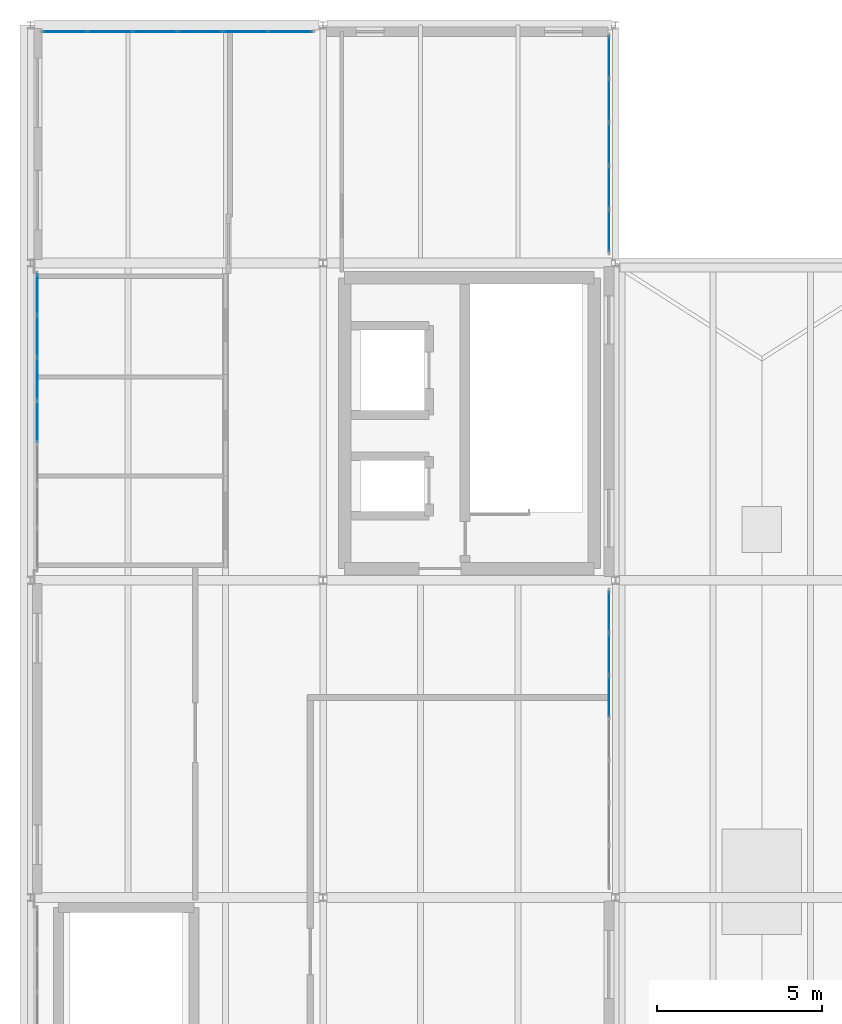
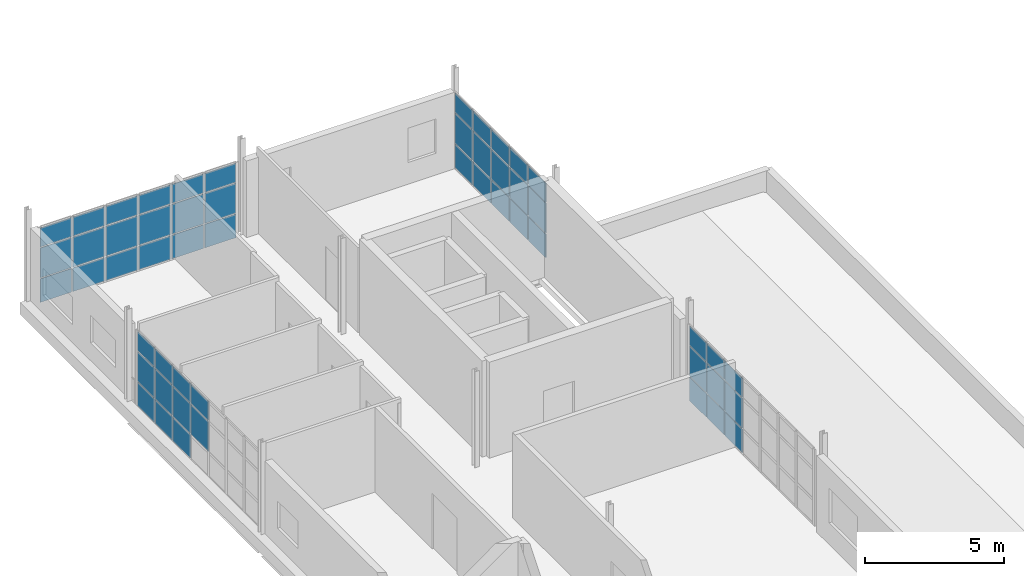
# One storey, part 11 of 16: 53 plates, 4 elements without a shape of their own.
"""IFC4 building model written with IfcOpenShell, lengths in metres."""

from ifc_helpers import new_model, si_unit, direction, frame, origin, origin_2d, place, context, subcontext, project, spatial, rectangle, extrude, material, layer, layer_set, type_object, element, aggregate, save


model = new_model("IFC4")

# Units and contexts
model_context = context("Model", 3, precision=1e-05, world=origin(), true_north=direction((0.0, 1.0)))
body_context = subcontext(model_context, "Body", "Model", "MODEL_VIEW")
ifc_project = project(units=[si_unit("LENGTHUNIT", "METRE"), si_unit("AREAUNIT", "SQUARE_METRE"), si_unit("VOLUMEUNIT", "CUBIC_METRE"), si_unit("PLANEANGLEUNIT", "RADIAN"), si_unit("MASSUNIT", "GRAM", prefix="KILO")], contexts=[model_context])

# Site, building, storey
site_placement = place(None, origin())
site = spatial("IfcSite", under=ifc_project, at=site_placement, CompositionType="ELEMENT")
building_placement = place(site_placement, origin())
building = spatial("IfcBuilding", under=site, at=building_placement, Name="Yeouljin Market Hall", CompositionType="ELEMENT")
storey_placement = place(building_placement, frame((0.0, 0.0, 19.199951171875)))
storey = spatial("IfcBuildingStorey", under=building, at=storey_placement, Name="L04", CompositionType="ELEMENT", Elevation=19.199951171875)

# Curtain wall, plates
ifc_material_1 = material(Name="Thermally Broken Aluminium", Category="aluminium")
ifc_layer_1 = layer(ifc_material_1, 0.14990234375)
ifc_layer_set_1 = layer_set([ifc_layer_1], Name="Thermally Broken Aluminium")
curtain_wall_type = type_object("IfcCurtainWallType", Name="CW_AcademyRibbon_System", PredefinedType="USERDEFINED", material=ifc_layer_set_1)
curtain_wall_1_placement = place(storey_placement, origin())
curtain_wall_1 = element("IfcCurtainWall", 1, at=curtain_wall_1_placement, inside=storey, type_object=curtain_wall_type, Name="Curtain wall CW-L04-W05", ObjectType="CURTAIN WALL", PredefinedType="USERDEFINED")
ifc_material_2 = material(Name="Low-E Insulated Glass", Category="glass")
ifc_layer_2 = layer(ifc_material_2, 0.028076171875)
ifc_layer_set_2 = layer_set([ifc_layer_2], Name="Low-E Insulated Glass")
plate_type = type_object("IfcPlateType", Name="CWPanel_LowE_28", PredefinedType="CURTAIN_PANEL", material=ifc_layer_set_2)
plate_1_placement = place(storey_placement, frame((0.199951171875, 24.0, 1.1240234375), z_axis=(0.0, 0.0, 1.0), x_axis=(0.0, 1.0, 0.0)))
plate_1 = element("IfcPlate", 2, at=plate_1_placement, type_object=plate_type, Name="CW-05 panel 4.2", PredefinedType="CURTAIN_PANEL", context=body_context, shape_type="SweptSolid", body=[
    extrude(rectangle(XDim=1.23779296875, YDim=0.028076171875, at=origin_2d()), origin(), (0.0, 0.0, 1.0), 1.302001953125),
])
plate_2_placement = place(storey_placement, frame((0.199951171875, 24.0, 2.47412109375), z_axis=(0.0, 0.0, 1.0), x_axis=(0.0, 1.0, 0.0)))
plate_2 = element("IfcPlate", 3, at=plate_2_placement, type_object=plate_type, Name="CW-05 panel 4.3", PredefinedType="CURTAIN_PANEL", context=body_context, shape_type="SweptSolid", body=[
    extrude(rectangle(XDim=1.23779296875, YDim=0.028076171875, at=origin_2d()), origin(), (0.0, 0.0, 1.0), 0.827880859375),
])
plate_3_placement = place(storey_placement, frame((0.199951171875, 25.28564453125, 0.0478515625), z_axis=(0.0, 0.0, 1.0), x_axis=(0.0, 1.0, 0.0)))
plate_3 = element("IfcPlate", 4, at=plate_3_placement, type_object=plate_type, Name="CW-05 panel 5.1", PredefinedType="CURTAIN_PANEL", context=body_context, shape_type="SweptSolid", body=[
    extrude(rectangle(XDim=1.23779296875, YDim=0.028076171875, at=origin_2d()), origin(), (0.0, 0.0, 1.0), 1.028076171875),
])
plate_4_placement = place(storey_placement, frame((0.199951171875, 25.28564453125, 1.1240234375), z_axis=(0.0, 0.0, 1.0), x_axis=(0.0, 1.0, 0.0)))
plate_4 = element("IfcPlate", 5, at=plate_4_placement, type_object=plate_type, Name="CW-05 panel 5.2", PredefinedType="CURTAIN_PANEL", context=body_context, shape_type="SweptSolid", body=[
    extrude(rectangle(XDim=1.23779296875, YDim=0.028076171875, at=origin_2d()), origin(), (0.0, 0.0, 1.0), 1.302001953125),
])
plate_5_placement = place(storey_placement, frame((0.199951171875, 25.28564453125, 2.47412109375), z_axis=(0.0, 0.0, 1.0), x_axis=(0.0, 1.0, 0.0)))
plate_5 = element("IfcPlate", 6, at=plate_5_placement, type_object=plate_type, Name="CW-05 panel 5.3", PredefinedType="CURTAIN_PANEL", context=body_context, shape_type="SweptSolid", body=[
    extrude(rectangle(XDim=1.23779296875, YDim=0.028076171875, at=origin_2d()), origin(), (0.0, 0.0, 1.0), 0.827880859375),
])
plate_6_placement = place(storey_placement, frame((0.199951171875, 26.571533203125, 0.0478515625), z_axis=(0.0, 0.0, 1.0), x_axis=(0.0, 1.0, 0.0)))
plate_6 = element("IfcPlate", 7, at=plate_6_placement, type_object=plate_type, Name="CW-05 panel 6.1", PredefinedType="CURTAIN_PANEL", context=body_context, shape_type="SweptSolid", body=[
    extrude(rectangle(XDim=1.23779296875, YDim=0.028076171875, at=origin_2d()), origin(), (0.0, 0.0, 1.0), 1.028076171875),
])
plate_7_placement = place(storey_placement, frame((0.199951171875, 26.571533203125, 1.1240234375), z_axis=(0.0, 0.0, 1.0), x_axis=(0.0, 1.0, 0.0)))
plate_7 = element("IfcPlate", 8, at=plate_7_placement, type_object=plate_type, Name="CW-05 panel 6.2", PredefinedType="CURTAIN_PANEL", context=body_context, shape_type="SweptSolid", body=[
    extrude(rectangle(XDim=1.23779296875, YDim=0.028076171875, at=origin_2d()), origin(), (0.0, 0.0, 1.0), 1.302001953125),
])
plate_8_placement = place(storey_placement, frame((0.199951171875, 26.571533203125, 2.47412109375), z_axis=(0.0, 0.0, 1.0), x_axis=(0.0, 1.0, 0.0)))
plate_8 = element("IfcPlate", 9, at=plate_8_placement, type_object=plate_type, Name="CW-05 panel 6.3", PredefinedType="CURTAIN_PANEL", context=body_context, shape_type="SweptSolid", body=[
    extrude(rectangle(XDim=1.23779296875, YDim=0.028076171875, at=origin_2d()), origin(), (0.0, 0.0, 1.0), 0.827880859375),
])
plate_9_placement = place(storey_placement, frame((0.199951171875, 27.84521484375, 0.0478515625), z_axis=(0.0, 0.0, 1.0), x_axis=(0.0, 1.0, 0.0)))
plate_9 = element("IfcPlate", 10, at=plate_9_placement, type_object=plate_type, Name="CW-05 panel 7.1", PredefinedType="CURTAIN_PANEL", context=body_context, shape_type="SweptSolid", body=[
    extrude(rectangle(XDim=1.213623046875, YDim=0.028076171875, at=origin_2d()), origin(), (0.0, 0.0, 1.0), 1.028076171875),
])
plate_10_placement = place(storey_placement, frame((0.199951171875, 27.84521484375, 1.1240234375), z_axis=(0.0, 0.0, 1.0), x_axis=(0.0, 1.0, 0.0)))
plate_10 = element("IfcPlate", 11, at=plate_10_placement, type_object=plate_type, Name="CW-05 panel 7.2", PredefinedType="CURTAIN_PANEL", context=body_context, shape_type="SweptSolid", body=[
    extrude(rectangle(XDim=1.213623046875, YDim=0.028076171875, at=origin_2d()), origin(), (0.0, 0.0, 1.0), 1.302001953125),
])
plate_11_placement = place(storey_placement, frame((0.199951171875, 27.84521484375, 2.47412109375), z_axis=(0.0, 0.0, 1.0), x_axis=(0.0, 1.0, 0.0)))
plate_11 = element("IfcPlate", 12, at=plate_11_placement, type_object=plate_type, Name="CW-05 panel 7.3", PredefinedType="CURTAIN_PANEL", context=body_context, shape_type="SweptSolid", body=[
    extrude(rectangle(XDim=1.213623046875, YDim=0.028076171875, at=origin_2d()), origin(), (0.0, 0.0, 1.0), 0.827880859375),
])
aggregate(curtain_wall_1, [plate_1, plate_2, plate_3, plate_4, plate_5, plate_6, plate_7, plate_8, plate_9, plate_10, plate_11])

curtain_wall_2_placement = place(storey_placement, origin())
curtain_wall_2 = element("IfcCurtainWall", 13, at=curtain_wall_2_placement, inside=storey, type_object=curtain_wall_type, Name="Curtain wall CW-L04-W07", ObjectType="CURTAIN WALL", PredefinedType="USERDEFINED")
plate_12_placement = place(storey_placement, frame((1.04541015625, 35.800048828125, 0.0478515625), z_axis=(0.0, 0.0, 1.0), x_axis=(1.0, 0.0, 0.0)))
plate_12 = element("IfcPlate", 14, at=plate_12_placement, type_object=plate_type, Name="CW-05 panel 1.1", PredefinedType="CURTAIN_PANEL", context=body_context, shape_type="SweptSolid", body=[
    extrude(rectangle(XDim=1.294677734375, YDim=0.028076171875, at=origin_2d()), origin(), (0.0, 0.0, 1.0), 1.028076171875),
])
plate_13_placement = place(storey_placement, frame((1.04541015625, 35.800048828125, 1.1240234375), z_axis=(0.0, 0.0, 1.0), x_axis=(1.0, 0.0, 0.0)))
plate_13 = element("IfcPlate", 15, at=plate_13_placement, type_object=plate_type, Name="CW-05 panel 1.2", PredefinedType="CURTAIN_PANEL", context=body_context, shape_type="SweptSolid", body=[
    extrude(rectangle(XDim=1.294677734375, YDim=0.028076171875, at=origin_2d()), origin(), (0.0, 0.0, 1.0), 1.302001953125),
])
plate_14_placement = place(storey_placement, frame((1.04541015625, 35.800048828125, 2.47412109375), z_axis=(0.0, 0.0, 1.0), x_axis=(1.0, 0.0, 0.0)))
plate_14 = element("IfcPlate", 16, at=plate_14_placement, type_object=plate_type, Name="CW-05 panel 1.3", PredefinedType="CURTAIN_PANEL", context=body_context, shape_type="SweptSolid", body=[
    extrude(rectangle(XDim=1.294677734375, YDim=0.028076171875, at=origin_2d()), origin(), (0.0, 0.0, 1.0), 0.827880859375),
])
plate_15_placement = place(storey_placement, frame((2.39990234375, 35.800048828125, 0.0478515625), z_axis=(0.0, 0.0, 1.0), x_axis=(1.0, 0.0, 0.0)))
plate_15 = element("IfcPlate", 17, at=plate_15_placement, type_object=plate_type, Name="CW-05 panel 2.1", PredefinedType="CURTAIN_PANEL", context=body_context, shape_type="SweptSolid", body=[
    extrude(rectangle(XDim=1.318603515625, YDim=0.028076171875, at=origin_2d()), origin(), (0.0, 0.0, 1.0), 1.028076171875),
])
plate_16_placement = place(storey_placement, frame((2.39990234375, 35.800048828125, 1.1240234375), z_axis=(0.0, 0.0, 1.0), x_axis=(1.0, 0.0, 0.0)))
plate_16 = element("IfcPlate", 18, at=plate_16_placement, type_object=plate_type, Name="CW-05 panel 2.2", PredefinedType="CURTAIN_PANEL", context=body_context, shape_type="SweptSolid", body=[
    extrude(rectangle(XDim=1.318603515625, YDim=0.028076171875, at=origin_2d()), origin(), (0.0, 0.0, 1.0), 1.302001953125),
])
plate_17_placement = place(storey_placement, frame((2.39990234375, 35.800048828125, 2.47412109375), z_axis=(0.0, 0.0, 1.0), x_axis=(1.0, 0.0, 0.0)))
plate_17 = element("IfcPlate", 19, at=plate_17_placement, type_object=plate_type, Name="CW-05 panel 2.3", PredefinedType="CURTAIN_PANEL", context=body_context, shape_type="SweptSolid", body=[
    extrude(rectangle(XDim=1.318603515625, YDim=0.028076171875, at=origin_2d()), origin(), (0.0, 0.0, 1.0), 0.827880859375),
])
plate_18_placement = place(storey_placement, frame((3.7666015625, 35.800048828125, 0.0478515625), z_axis=(0.0, 0.0, 1.0), x_axis=(1.0, 0.0, 0.0)))
plate_18 = element("IfcPlate", 20, at=plate_18_placement, type_object=plate_type, Name="CW-05 panel 3.1", PredefinedType="CURTAIN_PANEL", context=body_context, shape_type="SweptSolid", body=[
    extrude(rectangle(XDim=1.318603515625, YDim=0.028076171875, at=origin_2d()), origin(), (0.0, 0.0, 1.0), 1.028076171875),
])
plate_19_placement = place(storey_placement, frame((3.7666015625, 35.800048828125, 1.1240234375), z_axis=(0.0, 0.0, 1.0), x_axis=(1.0, 0.0, 0.0)))
plate_19 = element("IfcPlate", 21, at=plate_19_placement, type_object=plate_type, Name="CW-05 panel 3.2", PredefinedType="CURTAIN_PANEL", context=body_context, shape_type="SweptSolid", body=[
    extrude(rectangle(XDim=1.318603515625, YDim=0.028076171875, at=origin_2d()), origin(), (0.0, 0.0, 1.0), 1.302001953125),
])
plate_20_placement = place(storey_placement, frame((3.7666015625, 35.800048828125, 2.47412109375), z_axis=(0.0, 0.0, 1.0), x_axis=(1.0, 0.0, 0.0)))
plate_20 = element("IfcPlate", 22, at=plate_20_placement, type_object=plate_type, Name="CW-05 panel 3.3", PredefinedType="CURTAIN_PANEL", context=body_context, shape_type="SweptSolid", body=[
    extrude(rectangle(XDim=1.318603515625, YDim=0.028076171875, at=origin_2d()), origin(), (0.0, 0.0, 1.0), 0.827880859375),
])
plate_21_placement = place(storey_placement, frame((5.13330078125, 35.800048828125, 0.0478515625), z_axis=(0.0, 0.0, 1.0), x_axis=(1.0, 0.0, 0.0)))
plate_21 = element("IfcPlate", 23, at=plate_21_placement, type_object=plate_type, Name="CW-05 panel 4.1", PredefinedType="CURTAIN_PANEL", context=body_context, shape_type="SweptSolid", body=[
    extrude(rectangle(XDim=1.318603515625, YDim=0.028076171875, at=origin_2d()), origin(), (0.0, 0.0, 1.0), 1.028076171875),
])
plate_22_placement = place(storey_placement, frame((5.13330078125, 35.800048828125, 1.1240234375), z_axis=(0.0, 0.0, 1.0), x_axis=(1.0, 0.0, 0.0)))
plate_22 = element("IfcPlate", 24, at=plate_22_placement, type_object=plate_type, Name="CW-05 panel 4.2", PredefinedType="CURTAIN_PANEL", context=body_context, shape_type="SweptSolid", body=[
    extrude(rectangle(XDim=1.318603515625, YDim=0.028076171875, at=origin_2d()), origin(), (0.0, 0.0, 1.0), 1.302001953125),
])
plate_23_placement = place(storey_placement, frame((5.13330078125, 35.800048828125, 2.47412109375), z_axis=(0.0, 0.0, 1.0), x_axis=(1.0, 0.0, 0.0)))
plate_23 = element("IfcPlate", 25, at=plate_23_placement, type_object=plate_type, Name="CW-05 panel 4.3", PredefinedType="CURTAIN_PANEL", context=body_context, shape_type="SweptSolid", body=[
    extrude(rectangle(XDim=1.318603515625, YDim=0.028076171875, at=origin_2d()), origin(), (0.0, 0.0, 1.0), 0.827880859375),
])
plate_24_placement = place(storey_placement, frame((6.5, 35.800048828125, 0.0478515625), z_axis=(0.0, 0.0, 1.0), x_axis=(1.0, 0.0, 0.0)))
plate_24 = element("IfcPlate", 26, at=plate_24_placement, type_object=plate_type, Name="CW-05 panel 5.1", PredefinedType="CURTAIN_PANEL", context=body_context, shape_type="SweptSolid", body=[
    extrude(rectangle(XDim=1.318603515625, YDim=0.028076171875, at=origin_2d()), origin(), (0.0, 0.0, 1.0), 1.028076171875),
])
plate_25_placement = place(storey_placement, frame((6.5, 35.800048828125, 1.1240234375), z_axis=(0.0, 0.0, 1.0), x_axis=(1.0, 0.0, 0.0)))
plate_25 = element("IfcPlate", 27, at=plate_25_placement, type_object=plate_type, Name="CW-05 panel 5.2", PredefinedType="CURTAIN_PANEL", context=body_context, shape_type="SweptSolid", body=[
    extrude(rectangle(XDim=1.318603515625, YDim=0.028076171875, at=origin_2d()), origin(), (0.0, 0.0, 1.0), 1.302001953125),
])
plate_26_placement = place(storey_placement, frame((6.5, 35.800048828125, 2.47412109375), z_axis=(0.0, 0.0, 1.0), x_axis=(1.0, 0.0, 0.0)))
plate_26 = element("IfcPlate", 28, at=plate_26_placement, type_object=plate_type, Name="CW-05 panel 5.3", PredefinedType="CURTAIN_PANEL", context=body_context, shape_type="SweptSolid", body=[
    extrude(rectangle(XDim=1.318603515625, YDim=0.028076171875, at=origin_2d()), origin(), (0.0, 0.0, 1.0), 0.827880859375),
])
plate_27_placement = place(storey_placement, frame((7.854736328125, 35.800048828125, 0.0478515625), z_axis=(0.0, 0.0, 1.0), x_axis=(1.0, 0.0, 0.0)))
plate_27 = element("IfcPlate", 29, at=plate_27_placement, type_object=plate_type, Name="CW-05 panel 6.1", PredefinedType="CURTAIN_PANEL", context=body_context, shape_type="SweptSolid", body=[
    extrude(rectangle(XDim=1.294677734375, YDim=0.028076171875, at=origin_2d()), origin(), (0.0, 0.0, 1.0), 1.028076171875),
])
plate_28_placement = place(storey_placement, frame((7.854736328125, 35.800048828125, 1.1240234375), z_axis=(0.0, 0.0, 1.0), x_axis=(1.0, 0.0, 0.0)))
plate_28 = element("IfcPlate", 30, at=plate_28_placement, type_object=plate_type, Name="CW-05 panel 6.2", PredefinedType="CURTAIN_PANEL", context=body_context, shape_type="SweptSolid", body=[
    extrude(rectangle(XDim=1.294677734375, YDim=0.028076171875, at=origin_2d()), origin(), (0.0, 0.0, 1.0), 1.302001953125),
])
plate_29_placement = place(storey_placement, frame((7.854736328125, 35.800048828125, 2.47412109375), z_axis=(0.0, 0.0, 1.0), x_axis=(1.0, 0.0, 0.0)))
plate_29 = element("IfcPlate", 31, at=plate_29_placement, type_object=plate_type, Name="CW-05 panel 6.3", PredefinedType="CURTAIN_PANEL", context=body_context, shape_type="SweptSolid", body=[
    extrude(rectangle(XDim=1.294677734375, YDim=0.028076171875, at=origin_2d()), origin(), (0.0, 0.0, 1.0), 0.827880859375),
])
aggregate(curtain_wall_2, [plate_12, plate_13, plate_14, plate_15, plate_16, plate_17, plate_18, plate_19, plate_20, plate_21, plate_22, plate_23, plate_24, plate_25, plate_26, plate_27, plate_28, plate_29])

curtain_wall_3_placement = place(storey_placement, origin())
curtain_wall_3 = element("IfcCurtainWall", 32, at=curtain_wall_3_placement, inside=storey, type_object=curtain_wall_type, Name="Curtain wall CW-L04-W09", ObjectType="CURTAIN WALL", PredefinedType="USERDEFINED")
plate_30_placement = place(storey_placement, frame((17.5, 35.028076171875, 0.0478515625), z_axis=(0.0, 0.0, 1.0), x_axis=(0.0, -1.0, 0.0)))
plate_30 = element("IfcPlate", 33, at=plate_30_placement, type_object=plate_type, Name="CW-05 panel 1.1", PredefinedType="CURTAIN_PANEL", context=body_context, shape_type="SweptSolid", body=[
    extrude(rectangle(XDim=1.248046875, YDim=0.028076171875, at=origin_2d()), origin(), (0.0, 0.0, 1.0), 1.028076171875),
])
plate_31_placement = place(storey_placement, frame((17.5, 35.028076171875, 1.1240234375), z_axis=(0.0, 0.0, 1.0), x_axis=(0.0, -1.0, 0.0)))
plate_31 = element("IfcPlate", 34, at=plate_31_placement, type_object=plate_type, Name="CW-05 panel 1.2", PredefinedType="CURTAIN_PANEL", context=body_context, shape_type="SweptSolid", body=[
    extrude(rectangle(XDim=1.248046875, YDim=0.028076171875, at=origin_2d()), origin(), (0.0, 0.0, 1.0), 1.302001953125),
])
plate_32_placement = place(storey_placement, frame((17.5, 35.028076171875, 2.47412109375), z_axis=(0.0, 0.0, 1.0), x_axis=(0.0, -1.0, 0.0)))
plate_32 = element("IfcPlate", 35, at=plate_32_placement, type_object=plate_type, Name="CW-05 panel 1.3", PredefinedType="CURTAIN_PANEL", context=body_context, shape_type="SweptSolid", body=[
    extrude(rectangle(XDim=1.248046875, YDim=0.028076171875, at=origin_2d()), origin(), (0.0, 0.0, 1.0), 0.827880859375),
])
plate_33_placement = place(storey_placement, frame((17.5, 33.719970703125, 0.0478515625), z_axis=(0.0, 0.0, 1.0), x_axis=(0.0, -1.0, 0.0)))
plate_33 = element("IfcPlate", 36, at=plate_33_placement, type_object=plate_type, Name="CW-05 panel 2.1", PredefinedType="CURTAIN_PANEL", context=body_context, shape_type="SweptSolid", body=[
    extrude(rectangle(XDim=1.27197265625, YDim=0.028076171875, at=origin_2d()), origin(), (0.0, 0.0, 1.0), 1.028076171875),
])
plate_34_placement = place(storey_placement, frame((17.5, 33.719970703125, 1.1240234375), z_axis=(0.0, 0.0, 1.0), x_axis=(0.0, -1.0, 0.0)))
plate_34 = element("IfcPlate", 37, at=plate_34_placement, type_object=plate_type, Name="CW-05 panel 2.2", PredefinedType="CURTAIN_PANEL", context=body_context, shape_type="SweptSolid", body=[
    extrude(rectangle(XDim=1.27197265625, YDim=0.028076171875, at=origin_2d()), origin(), (0.0, 0.0, 1.0), 1.302001953125),
])
plate_35_placement = place(storey_placement, frame((17.5, 33.719970703125, 2.47412109375), z_axis=(0.0, 0.0, 1.0), x_axis=(0.0, -1.0, 0.0)))
plate_35 = element("IfcPlate", 38, at=plate_35_placement, type_object=plate_type, Name="CW-05 panel 2.3", PredefinedType="CURTAIN_PANEL", context=body_context, shape_type="SweptSolid", body=[
    extrude(rectangle(XDim=1.27197265625, YDim=0.028076171875, at=origin_2d()), origin(), (0.0, 0.0, 1.0), 0.827880859375),
])
plate_36_placement = place(storey_placement, frame((17.5, 32.39990234375, 0.0478515625), z_axis=(0.0, 0.0, 1.0), x_axis=(0.0, -1.0, 0.0)))
plate_36 = element("IfcPlate", 39, at=plate_36_placement, type_object=plate_type, Name="CW-05 panel 3.1", PredefinedType="CURTAIN_PANEL", context=body_context, shape_type="SweptSolid", body=[
    extrude(rectangle(XDim=1.27197265625, YDim=0.028076171875, at=origin_2d()), origin(), (0.0, 0.0, 1.0), 1.028076171875),
])
plate_37_placement = place(storey_placement, frame((17.5, 32.39990234375, 1.1240234375), z_axis=(0.0, 0.0, 1.0), x_axis=(0.0, -1.0, 0.0)))
plate_37 = element("IfcPlate", 40, at=plate_37_placement, type_object=plate_type, Name="CW-05 panel 3.2", PredefinedType="CURTAIN_PANEL", context=body_context, shape_type="SweptSolid", body=[
    extrude(rectangle(XDim=1.27197265625, YDim=0.028076171875, at=origin_2d()), origin(), (0.0, 0.0, 1.0), 1.302001953125),
])
plate_38_placement = place(storey_placement, frame((17.5, 32.39990234375, 2.47412109375), z_axis=(0.0, 0.0, 1.0), x_axis=(0.0, -1.0, 0.0)))
plate_38 = element("IfcPlate", 41, at=plate_38_placement, type_object=plate_type, Name="CW-05 panel 3.3", PredefinedType="CURTAIN_PANEL", context=body_context, shape_type="SweptSolid", body=[
    extrude(rectangle(XDim=1.27197265625, YDim=0.028076171875, at=origin_2d()), origin(), (0.0, 0.0, 1.0), 0.827880859375),
])
plate_39_placement = place(storey_placement, frame((17.5, 31.080078125, 0.0478515625), z_axis=(0.0, 0.0, 1.0), x_axis=(0.0, -1.0, 0.0)))
plate_39 = element("IfcPlate", 42, at=plate_39_placement, type_object=plate_type, Name="CW-05 panel 4.1", PredefinedType="CURTAIN_PANEL", context=body_context, shape_type="SweptSolid", body=[
    extrude(rectangle(XDim=1.27197265625, YDim=0.028076171875, at=origin_2d()), origin(), (0.0, 0.0, 1.0), 1.028076171875),
])
plate_40_placement = place(storey_placement, frame((17.5, 31.080078125, 1.1240234375), z_axis=(0.0, 0.0, 1.0), x_axis=(0.0, -1.0, 0.0)))
plate_40 = element("IfcPlate", 43, at=plate_40_placement, type_object=plate_type, Name="CW-05 panel 4.2", PredefinedType="CURTAIN_PANEL", context=body_context, shape_type="SweptSolid", body=[
    extrude(rectangle(XDim=1.27197265625, YDim=0.028076171875, at=origin_2d()), origin(), (0.0, 0.0, 1.0), 1.302001953125),
])
plate_41_placement = place(storey_placement, frame((17.5, 31.080078125, 2.47412109375), z_axis=(0.0, 0.0, 1.0), x_axis=(0.0, -1.0, 0.0)))
plate_41 = element("IfcPlate", 44, at=plate_41_placement, type_object=plate_type, Name="CW-05 panel 4.3", PredefinedType="CURTAIN_PANEL", context=body_context, shape_type="SweptSolid", body=[
    extrude(rectangle(XDim=1.27197265625, YDim=0.028076171875, at=origin_2d()), origin(), (0.0, 0.0, 1.0), 0.827880859375),
])
plate_42_placement = place(storey_placement, frame((17.5, 29.77197265625, 0.0478515625), z_axis=(0.0, 0.0, 1.0), x_axis=(0.0, -1.0, 0.0)))
plate_42 = element("IfcPlate", 45, at=plate_42_placement, type_object=plate_type, Name="CW-05 panel 5.1", PredefinedType="CURTAIN_PANEL", context=body_context, shape_type="SweptSolid", body=[
    extrude(rectangle(XDim=1.248046875, YDim=0.028076171875, at=origin_2d()), origin(), (0.0, 0.0, 1.0), 1.028076171875),
])
plate_43_placement = place(storey_placement, frame((17.5, 29.77197265625, 1.1240234375), z_axis=(0.0, 0.0, 1.0), x_axis=(0.0, -1.0, 0.0)))
plate_43 = element("IfcPlate", 46, at=plate_43_placement, type_object=plate_type, Name="CW-05 panel 5.2", PredefinedType="CURTAIN_PANEL", context=body_context, shape_type="SweptSolid", body=[
    extrude(rectangle(XDim=1.248046875, YDim=0.028076171875, at=origin_2d()), origin(), (0.0, 0.0, 1.0), 1.302001953125),
])
plate_44_placement = place(storey_placement, frame((17.5, 29.77197265625, 2.47412109375), z_axis=(0.0, 0.0, 1.0), x_axis=(0.0, -1.0, 0.0)))
plate_44 = element("IfcPlate", 47, at=plate_44_placement, type_object=plate_type, Name="CW-05 panel 5.3", PredefinedType="CURTAIN_PANEL", context=body_context, shape_type="SweptSolid", body=[
    extrude(rectangle(XDim=1.248046875, YDim=0.028076171875, at=origin_2d()), origin(), (0.0, 0.0, 1.0), 0.827880859375),
])
aggregate(curtain_wall_3, [plate_30, plate_31, plate_32, plate_33, plate_34, plate_35, plate_36, plate_37, plate_38, plate_39, plate_40, plate_41, plate_42, plate_43, plate_44])

curtain_wall_4_placement = place(storey_placement, origin())
curtain_wall_4 = element("IfcCurtainWall", 48, at=curtain_wall_4_placement, inside=storey, type_object=curtain_wall_type, Name="Curtain wall CW-L04-W11", ObjectType="CURTAIN WALL", PredefinedType="USERDEFINED")
plate_45_placement = place(storey_placement, frame((17.5, 18.2451171875, 0.0478515625), z_axis=(0.0, 0.0, 1.0), x_axis=(0.0, -1.0, 0.0)))
plate_45 = element("IfcPlate", 49, at=plate_45_placement, type_object=plate_type, Name="CW-05 panel 1.1", PredefinedType="CURTAIN_PANEL", context=body_context, shape_type="SweptSolid", body=[
    extrude(rectangle(XDim=1.213623046875, YDim=0.028076171875, at=origin_2d()), origin(), (0.0, 0.0, 1.0), 1.028076171875),
])
plate_46_placement = place(storey_placement, frame((17.5, 18.2451171875, 1.1240234375), z_axis=(0.0, 0.0, 1.0), x_axis=(0.0, -1.0, 0.0)))
plate_46 = element("IfcPlate", 50, at=plate_46_placement, type_object=plate_type, Name="CW-05 panel 1.2", PredefinedType="CURTAIN_PANEL", context=body_context, shape_type="SweptSolid", body=[
    extrude(rectangle(XDim=1.213623046875, YDim=0.028076171875, at=origin_2d()), origin(), (0.0, 0.0, 1.0), 1.302001953125),
])
plate_47_placement = place(storey_placement, frame((17.5, 18.2451171875, 2.47412109375), z_axis=(0.0, 0.0, 1.0), x_axis=(0.0, -1.0, 0.0)))
plate_47 = element("IfcPlate", 51, at=plate_47_placement, type_object=plate_type, Name="CW-05 panel 1.3", PredefinedType="CURTAIN_PANEL", context=body_context, shape_type="SweptSolid", body=[
    extrude(rectangle(XDim=1.213623046875, YDim=0.028076171875, at=origin_2d()), origin(), (0.0, 0.0, 1.0), 0.827880859375),
])
plate_48_placement = place(storey_placement, frame((17.5, 16.971435546875, 0.0478515625), z_axis=(0.0, 0.0, 1.0), x_axis=(0.0, -1.0, 0.0)))
plate_48 = element("IfcPlate", 52, at=plate_48_placement, type_object=plate_type, Name="CW-05 panel 2.1", PredefinedType="CURTAIN_PANEL", context=body_context, shape_type="SweptSolid", body=[
    extrude(rectangle(XDim=1.23779296875, YDim=0.028076171875, at=origin_2d()), origin(), (0.0, 0.0, 1.0), 1.028076171875),
])
plate_49_placement = place(storey_placement, frame((17.5, 16.971435546875, 1.1240234375), z_axis=(0.0, 0.0, 1.0), x_axis=(0.0, -1.0, 0.0)))
plate_49 = element("IfcPlate", 53, at=plate_49_placement, type_object=plate_type, Name="CW-05 panel 2.2", PredefinedType="CURTAIN_PANEL", context=body_context, shape_type="SweptSolid", body=[
    extrude(rectangle(XDim=1.23779296875, YDim=0.028076171875, at=origin_2d()), origin(), (0.0, 0.0, 1.0), 1.302001953125),
])
plate_50_placement = place(storey_placement, frame((17.5, 16.971435546875, 2.47412109375), z_axis=(0.0, 0.0, 1.0), x_axis=(0.0, -1.0, 0.0)))
plate_50 = element("IfcPlate", 54, at=plate_50_placement, type_object=plate_type, Name="CW-05 panel 2.3", PredefinedType="CURTAIN_PANEL", context=body_context, shape_type="SweptSolid", body=[
    extrude(rectangle(XDim=1.23779296875, YDim=0.028076171875, at=origin_2d()), origin(), (0.0, 0.0, 1.0), 0.827880859375),
])
plate_51_placement = place(storey_placement, frame((17.5, 15.685791015625, 0.0478515625), z_axis=(0.0, 0.0, 1.0), x_axis=(0.0, -1.0, 0.0)))
plate_51 = element("IfcPlate", 55, at=plate_51_placement, type_object=plate_type, Name="CW-05 panel 3.1", PredefinedType="CURTAIN_PANEL", context=body_context, shape_type="SweptSolid", body=[
    extrude(rectangle(XDim=1.23779296875, YDim=0.028076171875, at=origin_2d()), origin(), (0.0, 0.0, 1.0), 1.028076171875),
])
plate_52_placement = place(storey_placement, frame((17.5, 15.685791015625, 1.1240234375), z_axis=(0.0, 0.0, 1.0), x_axis=(0.0, -1.0, 0.0)))
plate_52 = element("IfcPlate", 56, at=plate_52_placement, type_object=plate_type, Name="CW-05 panel 3.2", PredefinedType="CURTAIN_PANEL", context=body_context, shape_type="SweptSolid", body=[
    extrude(rectangle(XDim=1.23779296875, YDim=0.028076171875, at=origin_2d()), origin(), (0.0, 0.0, 1.0), 1.302001953125),
])
plate_53_placement = place(storey_placement, frame((17.5, 15.685791015625, 2.47412109375), z_axis=(0.0, 0.0, 1.0), x_axis=(0.0, -1.0, 0.0)))
plate_53 = element("IfcPlate", 57, at=plate_53_placement, type_object=plate_type, Name="CW-05 panel 3.3", PredefinedType="CURTAIN_PANEL", context=body_context, shape_type="SweptSolid", body=[
    extrude(rectangle(XDim=1.23779296875, YDim=0.028076171875, at=origin_2d()), origin(), (0.0, 0.0, 1.0), 0.827880859375),
])
aggregate(curtain_wall_4, [plate_45, plate_46, plate_47, plate_48, plate_49, plate_50, plate_51, plate_52, plate_53])

save(model, "model.ifc")
